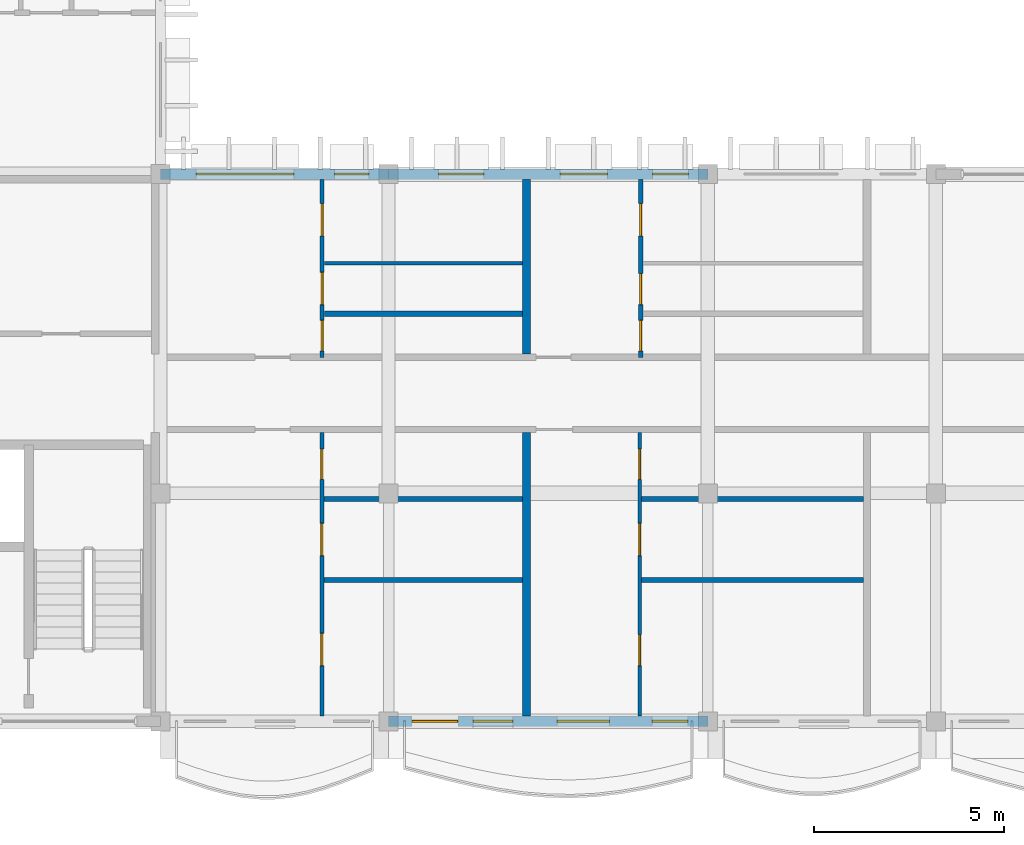
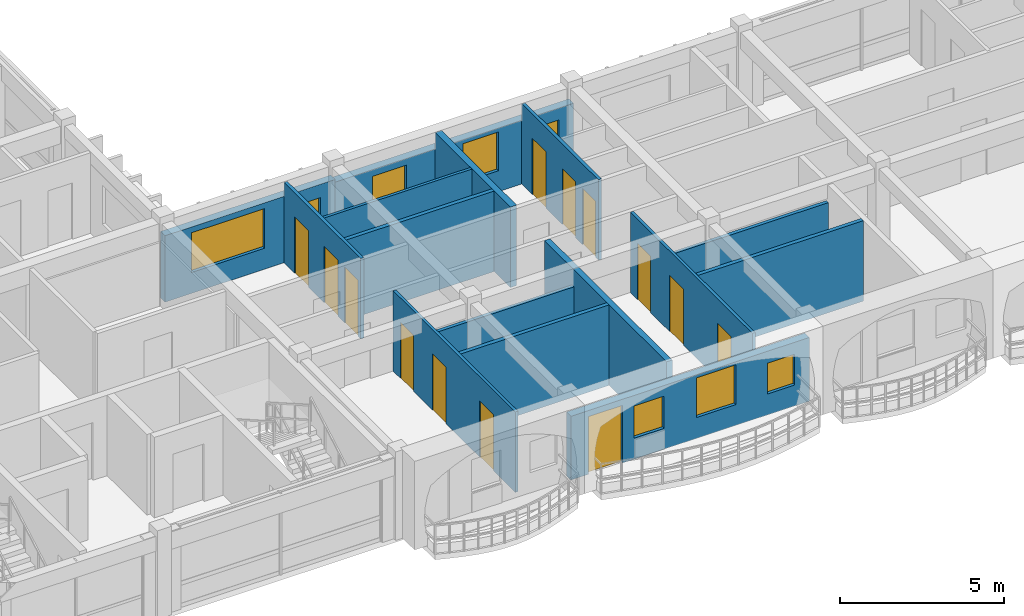
# One storey, part 23 of 68: 15 walls, 13 doors, 8 windows, 21 openings.
"""IFC4 building model written with IfcOpenShell, lengths in metres."""

from ifc_helpers import new_model, si_unit, direction, frame, frame_2d, origin, place, context, subcontext, project, spatial, rectangle, extrude, material, layer, layer_set, type_object, element, fill, save


model = new_model("IFC4")

# Units and contexts
model_context = context("Model", 3, precision=1e-05, world=origin(), true_north=direction((0.0, 1.0)))
body_context = subcontext(model_context, "Body", "Model", "MODEL_VIEW")
ifc_project = project(units=[si_unit("LENGTHUNIT", "METRE"), si_unit("AREAUNIT", "SQUARE_METRE"), si_unit("VOLUMEUNIT", "CUBIC_METRE"), si_unit("PLANEANGLEUNIT", "RADIAN"), si_unit("MASSUNIT", "GRAM", prefix="KILO"), si_unit("THERMODYNAMICTEMPERATUREUNIT", "KELVIN")], contexts=[model_context])

# Site, building, storey
site_placement = place(None, origin())
site = spatial("IfcSite", under=ifc_project, at=site_placement, CompositionType="ELEMENT")
building_placement = place(site_placement, origin())
building = spatial("IfcBuilding", under=site, at=building_placement, Name="Thalorik Housing Commons", CompositionType="ELEMENT")
storey_placement = place(building_placement, frame((0.0, 0.0, 24.60009765625)))
storey = spatial("IfcBuildingStorey", under=building, at=storey_placement, Name="L07", CompositionType="ELEMENT", Elevation=24.60009765625)

# Wall, openings, door, windows
ifc_material_1 = material(Name="White precast concrete C40/50", Category="concrete")
ifc_layer_1 = layer(ifc_material_1, 0.27490234375, Name="White precast concrete C40/50", Category="concrete")
ifc_layer_set_1 = layer_set([ifc_layer_1], Name="White precast concrete C40/50")
wall_type_1 = type_object("IfcWallType", Name="ARC-WAL-EXT-275", PredefinedType="STANDARD", material=ifc_layer_set_1)
wall_1_placement = place(storey_placement, frame((28.800048828125, 8.39990234375, 0.0), z_axis=(0.0, 0.0, 1.0), x_axis=(1.0, 0.0, 0.0)))
wall_1 = element("IfcWall", 1, at=wall_1_placement, inside=storey, type_object=wall_type_1, Name="L07 Exterior Wall WAL-EXT-L07-C-1034", PredefinedType="STANDARD", context=body_context, shape_type="SweptSolid", body=[
    extrude(rectangle(XDim=8.39990234375, YDim=0.27490234375, at=frame_2d((4.199951171875, 0.0))), origin(), (0.0, 0.0, 1.0), 2.375),
])
opening_1_placement = place(wall_1_placement, frame((0.6201171875, 0.0, 0.0)))
opening_1 = element("IfcOpeningElement", 2, at=opening_1_placement, cuts=wall_1, Name="Opening ED-0344", PredefinedType="OPENING", context=body_context, shape_type="SweptSolid", body=[
    extrude(rectangle(XDim=1.199951171875, YDim=2.14990234375, at=frame_2d((0.60009765625, 1.074951171875))), frame((0.0, 0.1474609375, 0.0), z_axis=(0.0, -1.0, 0.0), x_axis=(1.0, 0.0, 0.0)), (0.0, 0.0, 1.0), 0.294921875),
])
opening_2_placement = place(wall_1_placement, frame((2.22509765625, 0.0, 0.780029296875)))
opening_2 = element("IfcOpeningElement", 3, at=opening_2_placement, cuts=wall_1, Name="Opening W-44", PredefinedType="OPENING", context=body_context, shape_type="SweptSolid", body=[
    extrude(rectangle(XDim=1.050048828125, YDim=1.199951171875, at=frame_2d((0.52490234375, 0.60009765625))), frame((0.0, 0.1474609375, 0.0), z_axis=(0.0, -1.0, 0.0), x_axis=(1.0, 0.0, 0.0)), (0.0, 0.0, 1.0), 0.294921875),
])
opening_3_placement = place(wall_1_placement, frame((4.429931640625, 0.0, 0.780029296875)))
opening_3 = element("IfcOpeningElement", 4, at=opening_3_placement, cuts=wall_1, Name="Opening W-49", PredefinedType="OPENING", context=body_context, shape_type="SweptSolid", body=[
    extrude(rectangle(XDim=1.3798828125, YDim=1.47998046875, at=frame_2d((0.68994140625, 0.739990234375))), frame((0.0, 0.1474609375, 0.0), z_axis=(0.0, -1.0, 0.0), x_axis=(1.0, 0.0, 0.0)), (0.0, 0.0, 1.0), 0.294921875),
])
opening_4_placement = place(wall_1_placement, frame((6.93505859375, 0.0, 0.780029296875)))
opening_4 = element("IfcOpeningElement", 5, at=opening_4_placement, cuts=wall_1, Name="Opening W-43", PredefinedType="OPENING", context=body_context, shape_type="SweptSolid", body=[
    extrude(rectangle(XDim=0.949951171875, YDim=1.14990234375, at=frame_2d((0.47509765625, 0.574951171875))), frame((0.0, 0.1474609375, 0.0), z_axis=(0.0, -1.0, 0.0), x_axis=(1.0, 0.0, 0.0)), (0.0, 0.0, 1.0), 0.294921875),
])
ifc_material_2 = material(Name="Anodised aluminium and laminated safety glass", Category="aluminium")
door_type_1 = type_object("IfcDoorType", Name="ARC-DR-BAL-1200", OperationType="NOTDEFINED", PredefinedType="DOOR", material=ifc_material_2)
door_1_placement = place(opening_1_placement, frame((1.199951171875, 0.0, 0.0), z_axis=(0.0, 0.0, 1.0), x_axis=(-1.0, 0.0, 0.0)))
door_1 = element("IfcDoor", 6, at=door_1_placement, inside=storey, type_object=door_type_1, Name="L07 Block C Balcony Glazed Door", OperationType="SINGLE_SWING_LEFT", OverallHeight=2.14990234375, OverallWidth=1.199951171875, PredefinedType="DOOR", context=body_context, shape_type="SweptSolid", body=[
    extrude(rectangle(XDim=1.199951171875, YDim=2.14990234375, at=frame_2d((0.60009765625, 1.074951171875))), frame((0.0, 0.02490234375, 0.0), z_axis=(0.0, -1.0, 0.0), x_axis=(1.0, 0.0, 0.0)), (0.0, 0.0, 1.0), 0.050048828125),
])
fill(opening_1, door_1)
ifc_material_3 = material(Name="Anodised aluminium and solar-control low-E glass", Category="aluminium")
window_type_1 = type_object("IfcWindowType", Name="ARC-WIN-43", PartitioningType="SINGLE_PANEL", PredefinedType="WINDOW", material=ifc_material_3)
window_1_placement = place(opening_4_placement, origin())
window_1 = element("IfcWindow", 7, at=window_1_placement, inside=storey, type_object=window_type_1, Name="L07 Facade Window 1911", OverallHeight=1.14990234375, OverallWidth=0.949951171875, PartitioningType="SINGLE_PANEL", PredefinedType="WINDOW", context=body_context, shape_type="SweptSolid", body=[
    extrude(rectangle(XDim=0.949951171875, YDim=1.14990234375, at=frame_2d((0.47509765625, 0.574951171875))), frame((0.0, 0.030029296875, 0.0), z_axis=(0.0, -1.0, 0.0), x_axis=(1.0, 0.0, 0.0)), (0.0, 0.0, 1.0), 0.06005859375),
])
fill(opening_4, window_1)
window_type_2 = type_object("IfcWindowType", Name="ARC-WIN-44", PartitioningType="SINGLE_PANEL", PredefinedType="WINDOW", material=ifc_material_3)
window_2_placement = place(opening_2_placement, origin())
window_2 = element("IfcWindow", 8, at=window_2_placement, inside=storey, type_object=window_type_2, Name="L07 Facade Window 1909", OverallHeight=1.199951171875, OverallWidth=1.050048828125, PartitioningType="SINGLE_PANEL", PredefinedType="WINDOW", context=body_context, shape_type="SweptSolid", body=[
    extrude(rectangle(XDim=1.050048828125, YDim=1.199951171875, at=frame_2d((0.52490234375, 0.60009765625))), frame((0.0, 0.030029296875, 0.0), z_axis=(0.0, -1.0, 0.0), x_axis=(1.0, 0.0, 0.0)), (0.0, 0.0, 1.0), 0.06005859375),
])
fill(opening_2, window_2)
window_type_3 = type_object("IfcWindowType", Name="ARC-WIN-49", PartitioningType="SINGLE_PANEL", PredefinedType="WINDOW", material=ifc_material_3)
window_3_placement = place(opening_3_placement, origin())
window_3 = element("IfcWindow", 9, at=window_3_placement, inside=storey, type_object=window_type_3, Name="L07 Facade Window 1910", OverallHeight=1.47998046875, OverallWidth=1.3798828125, PartitioningType="SINGLE_PANEL", PredefinedType="WINDOW", context=body_context, shape_type="SweptSolid", body=[
    extrude(rectangle(XDim=1.3798828125, YDim=1.47998046875, at=frame_2d((0.68994140625, 0.739990234375))), frame((0.0, 0.030029296875, 0.0), z_axis=(0.0, -1.0, 0.0), x_axis=(1.0, 0.0, 0.0)), (0.0, 0.0, 1.0), 0.06005859375),
])
fill(opening_3, window_3)

# Wall, openings, windows
wall_2_placement = place(storey_placement, frame((37.199951171875, 22.800048828125, 0.0), z_axis=(0.0, 0.0, 1.0), x_axis=(-1.0, 0.0, 0.0)))
wall_2 = element("IfcWall", 10, at=wall_2_placement, inside=storey, type_object=wall_type_1, Name="L07 Exterior Wall WAL-EXT-L07-C-1043", PredefinedType="STANDARD", context=body_context, shape_type="SweptSolid", body=[
    extrude(rectangle(XDim=8.39990234375, YDim=0.27490234375, at=frame_2d((4.199951171875, 0.0))), origin(), (0.0, 0.0, 1.0), 2.375),
])
opening_5_placement = place(wall_2_placement, frame((0.504638671875, 0.0, 0.780029296875)))
opening_5 = element("IfcOpeningElement", 11, at=opening_5_placement, cuts=wall_2, Name="Opening W-43", PredefinedType="OPENING", context=body_context, shape_type="SweptSolid", body=[
    extrude(rectangle(XDim=0.949951171875, YDim=1.14990234375, at=frame_2d((0.47509765625, 0.574951171875))), frame((0.0, 0.1474609375, 0.0), z_axis=(0.0, -1.0, 0.0), x_axis=(1.0, 0.0, 0.0)), (0.0, 0.0, 1.0), 0.294921875),
])
opening_6_placement = place(wall_2_placement, frame((2.64453125, 0.0, 0.780029296875)))
opening_6 = element("IfcOpeningElement", 12, at=opening_6_placement, cuts=wall_2, Name="Opening W-47", PredefinedType="OPENING", context=body_context, shape_type="SweptSolid", body=[
    extrude(rectangle(XDim=1.25, YDim=1.449951171875, at=frame_2d((0.625, 0.72509765625))), frame((0.0, 0.1474609375, 0.0), z_axis=(0.0, -1.0, 0.0), x_axis=(1.0, 0.0, 0.0)), (0.0, 0.0, 1.0), 0.294921875),
])
opening_7_placement = place(wall_2_placement, frame((5.889892578125, 0.0, 0.780029296875)))
opening_7 = element("IfcOpeningElement", 13, at=opening_7_placement, cuts=wall_2, Name="Opening W-04", PredefinedType="OPENING", context=body_context, shape_type="SweptSolid", body=[
    extrude(rectangle(XDim=1.199951171875, YDim=1.35009765625, at=frame_2d((0.60009765625, 0.675048828125))), frame((0.0, 0.1474609375, 0.0), z_axis=(0.0, -1.0, 0.0), x_axis=(1.0, 0.0, 0.0)), (0.0, 0.0, 1.0), 0.294921875),
])
window_type_4 = type_object("IfcWindowType", Name="ARC-WIN-04", PartitioningType="SINGLE_PANEL", PredefinedType="WINDOW", material=ifc_material_3)
window_4_placement = place(opening_7_placement, origin())
window_4 = element("IfcWindow", 14, at=window_4_placement, inside=storey, type_object=window_type_4, Name="L07 Facade Window 1925", OverallHeight=1.35009765625, OverallWidth=1.199951171875, PartitioningType="SINGLE_PANEL", PredefinedType="WINDOW", context=body_context, shape_type="SweptSolid", body=[
    extrude(rectangle(XDim=1.199951171875, YDim=1.35009765625, at=frame_2d((0.60009765625, 0.675048828125))), frame((0.0, 0.030029296875, 0.0), z_axis=(0.0, -1.0, 0.0), x_axis=(1.0, 0.0, 0.0)), (0.0, 0.0, 1.0), 0.06005859375),
])
fill(opening_7, window_4)
window_5_placement = place(opening_5_placement, origin())
window_5 = element("IfcWindow", 15, at=window_5_placement, inside=storey, type_object=window_type_1, Name="L07 Facade Window 1923", OverallHeight=1.14990234375, OverallWidth=0.949951171875, PartitioningType="SINGLE_PANEL", PredefinedType="WINDOW", context=body_context, shape_type="SweptSolid", body=[
    extrude(rectangle(XDim=0.949951171875, YDim=1.14990234375, at=frame_2d((0.47509765625, 0.574951171875))), frame((0.0, 0.030029296875, 0.0), z_axis=(0.0, -1.0, 0.0), x_axis=(1.0, 0.0, 0.0)), (0.0, 0.0, 1.0), 0.06005859375),
])
fill(opening_5, window_5)
window_type_5 = type_object("IfcWindowType", Name="ARC-WIN-47", PartitioningType="SINGLE_PANEL", PredefinedType="WINDOW", material=ifc_material_3)
window_6_placement = place(opening_6_placement, origin())
window_6 = element("IfcWindow", 16, at=window_6_placement, inside=storey, type_object=window_type_5, Name="L07 Facade Window 1924", OverallHeight=1.449951171875, OverallWidth=1.25, PartitioningType="SINGLE_PANEL", PredefinedType="WINDOW", context=body_context, shape_type="SweptSolid", body=[
    extrude(rectangle(XDim=1.25, YDim=1.449951171875, at=frame_2d((0.625, 0.72509765625))), frame((0.0, 0.030029296875, 0.0), z_axis=(0.0, -1.0, 0.0), x_axis=(1.0, 0.0, 0.0)), (0.0, 0.0, 1.0), 0.06005859375),
])
fill(opening_6, window_6)

wall_3_placement = place(storey_placement, frame((28.800048828125, 22.800048828125, 0.0), z_axis=(0.0, 0.0, 1.0), x_axis=(-1.0, 0.0, 0.0)))
wall_3 = element("IfcWall", 17, at=wall_3_placement, inside=storey, type_object=wall_type_1, Name="L07 Exterior Wall WAL-EXT-L07-C-1044", PredefinedType="STANDARD", context=body_context, shape_type="SweptSolid", body=[
    extrude(rectangle(XDim=6.0, YDim=0.27490234375, at=frame_2d((3.0, 0.0))), origin(), (0.0, 0.0, 1.0), 2.474853515625),
])
opening_8_placement = place(wall_3_placement, frame((0.520263671875, 0.0, 0.780029296875)))
opening_8 = element("IfcOpeningElement", 18, at=opening_8_placement, cuts=wall_3, Name="Opening W-01", PredefinedType="OPENING", context=body_context, shape_type="SweptSolid", body=[
    extrude(rectangle(XDim=0.89990234375, YDim=1.199951171875, at=frame_2d((0.449951171875, 0.60009765625))), frame((0.0, 0.1474609375, 0.0), z_axis=(0.0, -1.0, 0.0), x_axis=(1.0, 0.0, 0.0)), (0.0, 0.0, 1.0), 0.294921875),
])
opening_9_placement = place(wall_3_placement, frame((2.490234375, 0.0, 0.780029296875)))
opening_9 = element("IfcOpeningElement", 19, at=opening_9_placement, cuts=wall_3, Name="Opening W-73", PredefinedType="OPENING", context=body_context, shape_type="SweptSolid", body=[
    extrude(rectangle(XDim=2.580078125, YDim=1.47998046875, at=frame_2d((1.2900390625, 0.739990234375))), frame((0.0, 0.1474609375, 0.0), z_axis=(0.0, -1.0, 0.0), x_axis=(1.0, 0.0, 0.0)), (0.0, 0.0, 1.0), 0.294921875),
])
window_type_6 = type_object("IfcWindowType", Name="ARC-WIN-01", PartitioningType="SINGLE_PANEL", PredefinedType="WINDOW", material=ifc_material_3)
window_7_placement = place(opening_8_placement, origin())
window_7 = element("IfcWindow", 20, at=window_7_placement, inside=storey, type_object=window_type_6, Name="L07 Facade Window 1926", OverallHeight=1.199951171875, OverallWidth=0.89990234375, PartitioningType="SINGLE_PANEL", PredefinedType="WINDOW", context=body_context, shape_type="SweptSolid", body=[
    extrude(rectangle(XDim=0.89990234375, YDim=1.199951171875, at=frame_2d((0.449951171875, 0.60009765625))), frame((0.0, 0.030029296875, 0.0), z_axis=(0.0, -1.0, 0.0), x_axis=(1.0, 0.0, 0.0)), (0.0, 0.0, 1.0), 0.06005859375),
])
fill(opening_8, window_7)
window_type_7 = type_object("IfcWindowType", Name="ARC-WIN-73", PartitioningType="DOUBLE_PANEL_VERTICAL", PredefinedType="WINDOW", material=ifc_material_3)
window_8_placement = place(opening_9_placement, origin())
window_8 = element("IfcWindow", 21, at=window_8_placement, inside=storey, type_object=window_type_7, Name="L07 Facade Window 1927", OverallHeight=1.47998046875, OverallWidth=2.580078125, PartitioningType="DOUBLE_PANEL_VERTICAL", PredefinedType="WINDOW", context=body_context, shape_type="SweptSolid", body=[
    extrude(rectangle(XDim=2.580078125, YDim=1.47998046875, at=frame_2d((1.2900390625, 0.739990234375))), frame((0.0, 0.030029296875, 0.0), z_axis=(0.0, -1.0, 0.0), x_axis=(1.0, 0.0, 0.0)), (0.0, 0.0, 1.0), 0.06005859375),
])
fill(opening_9, window_8)

# Wall, openings, doors
ifc_material_4 = material(Name="Gypsum light stud partition", Category="masonry")
ifc_layer_2 = layer(ifc_material_4, 0.10009765625, Name="Gypsum light stud partition", Category="masonry")
ifc_layer_set_2 = layer_set([ifc_layer_2], Name="Gypsum light stud partition")
wall_type_2 = type_object("IfcWallType", Name="ARC-WAL-PART-100", PredefinedType="PARTITIONING", material=ifc_layer_set_2)
wall_4_placement = place(storey_placement, frame((27.044921875, 8.53955078125, 0.0), z_axis=(0.0, 0.0, 1.0), x_axis=(0.0, 1.0, 0.0)))
wall_4 = element("IfcWall", 22, at=wall_4_placement, inside=storey, type_object=wall_type_2, Name="L07 Unit 1 Spine Partition", PredefinedType="PARTITIONING", context=body_context, shape_type="SweptSolid", body=[
    extrude(rectangle(XDim=7.46337890625, YDim=0.10009765625, at=frame_2d((3.731689453125, 0.0))), origin(), (0.0, 0.0, 1.0), 3.0),
])
opening_10_placement = place(wall_4_placement, frame((1.32421875, 0.0, 0.0)))
opening_10 = element("IfcOpeningElement", 23, at=opening_10_placement, cuts=wall_4, Name="Opening ID-1866", PredefinedType="OPENING", context=body_context, shape_type="SweptSolid", body=[
    extrude(rectangle(XDim=0.85009765625, YDim=2.10009765625, at=frame_2d((0.425048828125, 1.050048828125))), frame((0.0, 0.06005859375, 0.0), z_axis=(0.0, -1.0, 0.0), x_axis=(1.0, 0.0, 0.0)), (0.0, 0.0, 1.0), 0.1201171875),
])
opening_11_placement = place(wall_4_placement, frame((4.219970703125, 0.0, 0.0)))
opening_11 = element("IfcOpeningElement", 24, at=opening_11_placement, cuts=wall_4, Name="Opening ID-1867", PredefinedType="OPENING", context=body_context, shape_type="SweptSolid", body=[
    extrude(rectangle(XDim=0.85009765625, YDim=2.10009765625, at=frame_2d((0.425048828125, 1.050048828125))), frame((0.0, 0.06005859375, 0.0), z_axis=(0.0, -1.0, 0.0), x_axis=(1.0, 0.0, 0.0)), (0.0, 0.0, 1.0), 0.1201171875),
])
opening_12_placement = place(wall_4_placement, frame((6.22607421875, 0.0, 0.0)))
opening_12 = element("IfcOpeningElement", 25, at=opening_12_placement, cuts=wall_4, Name="Opening ID-1868", PredefinedType="OPENING", context=body_context, shape_type="SweptSolid", body=[
    extrude(rectangle(XDim=0.800048828125, YDim=2.10009765625, at=frame_2d((0.39990234375, 1.050048828125))), frame((0.0, 0.06005859375, 0.0), z_axis=(0.0, -1.0, 0.0), x_axis=(1.0, 0.0, 0.0)), (0.0, 0.0, 1.0), 0.1201171875),
])
ifc_material_5 = material(Name="Moisture-resistant timber", Category="wood")
door_type_2 = type_object("IfcDoorType", Name="ARC-DR-INT-800", OperationType="NOTDEFINED", PredefinedType="DOOR", material=ifc_material_5)
door_2_placement = place(opening_12_placement, origin())
door_2 = element("IfcDoor", 26, at=door_2_placement, inside=storey, type_object=door_type_2, Name="L07 Flat Bathroom Door", OperationType="SINGLE_SWING_LEFT", OverallHeight=2.10009765625, OverallWidth=0.800048828125, PredefinedType="DOOR", context=body_context, shape_type="SweptSolid", body=[
    extrude(rectangle(XDim=0.800048828125, YDim=2.10009765625, at=frame_2d((0.39990234375, 1.050048828125))), frame((0.0, 0.02490234375, 0.0), z_axis=(0.0, -1.0, 0.0), x_axis=(1.0, 0.0, 0.0)), (0.0, 0.0, 1.0), 0.050048828125),
])
fill(opening_12, door_2)
ifc_material_6 = material(Name="Engineered oak timber", Category="wood")
door_type_3 = type_object("IfcDoorType", Name="ARC-DR-INT-850", OperationType="NOTDEFINED", PredefinedType="DOOR", material=ifc_material_6)
door_3_placement = place(opening_10_placement, origin())
door_3 = element("IfcDoor", 27, at=door_3_placement, inside=storey, type_object=door_type_3, Name="L07 Double Bedroom Door", OperationType="SINGLE_SWING_LEFT", OverallHeight=2.10009765625, OverallWidth=0.85009765625, PredefinedType="DOOR", context=body_context, shape_type="SweptSolid", body=[
    extrude(rectangle(XDim=0.85009765625, YDim=2.10009765625, at=frame_2d((0.425048828125, 1.050048828125))), frame((0.0, 0.02490234375, 0.0), z_axis=(0.0, -1.0, 0.0), x_axis=(1.0, 0.0, 0.0)), (0.0, 0.0, 1.0), 0.050048828125),
])
fill(opening_10, door_3)
door_4_placement = place(opening_11_placement, origin())
door_4 = element("IfcDoor", 28, at=door_4_placement, inside=storey, type_object=door_type_3, Name="L07 Galley Kitchen Door", OperationType="SINGLE_SWING_RIGHT", OverallHeight=2.10009765625, OverallWidth=0.85009765625, PredefinedType="DOOR", context=body_context, shape_type="SweptSolid", body=[
    extrude(rectangle(XDim=0.85009765625, YDim=2.10009765625, at=frame_2d((0.425048828125, 1.050048828125))), frame((0.0, 0.02490234375, 0.0), z_axis=(0.0, -1.0, 0.0), x_axis=(1.0, 0.0, 0.0)), (0.0, 0.0, 1.0), 0.050048828125),
])
fill(opening_11, door_4)

# Wall
wall_5_placement = place(storey_placement, frame((27.109130859375, 20.455078125, 0.0), z_axis=(0.0, 0.0, 1.0), x_axis=(1.0, 0.0, 0.0)))
element("IfcWall", 29, at=wall_5_placement, inside=storey, type_object=wall_type_2, Name="L07 Unit 1B Bedroom Partition", PredefinedType="PARTITIONING", context=body_context, shape_type="SweptSolid", body=[
    extrude(rectangle(XDim=5.208984375, YDim=0.10009765625, at=frame_2d((2.6044921875, 0.0))), origin(), (0.0, 0.0, 1.0), 3.0),
])

# Wall, openings, doors
wall_6_placement = place(storey_placement, frame((35.409912109375, 8.53955078125, 0.0), z_axis=(0.0, 0.0, 1.0), x_axis=(0.0, 1.0, 0.0)))
wall_6 = element("IfcWall", 30, at=wall_6_placement, inside=storey, type_object=wall_type_2, Name="L07 Unit 2 Spine Partition", PredefinedType="PARTITIONING", context=body_context, shape_type="SweptSolid", body=[
    extrude(rectangle(XDim=7.46337890625, YDim=0.10009765625, at=frame_2d((3.731689453125, 0.0))), origin(), (0.0, 0.0, 1.0), 3.0),
])
opening_13_placement = place(wall_6_placement, frame((1.32421875, 0.0, 0.0)))
opening_13 = element("IfcOpeningElement", 31, at=opening_13_placement, cuts=wall_6, Name="Opening ID-1872", PredefinedType="OPENING", context=body_context, shape_type="SweptSolid", body=[
    extrude(rectangle(XDim=0.820068359375, YDim=2.080078125, at=frame_2d((0.41015625, 1.0400390625))), frame((0.0, 0.06005859375, 0.0), z_axis=(0.0, -1.0, 0.0), x_axis=(1.0, 0.0, 0.0)), (0.0, 0.0, 1.0), 0.1201171875),
])
opening_14_placement = place(wall_6_placement, frame((4.219970703125, 0.0, 0.0)))
opening_14 = element("IfcOpeningElement", 32, at=opening_14_placement, cuts=wall_6, Name="Opening ID-1873", PredefinedType="OPENING", context=body_context, shape_type="SweptSolid", body=[
    extrude(rectangle(XDim=0.85009765625, YDim=2.10009765625, at=frame_2d((0.425048828125, 1.050048828125))), frame((0.0, 0.06005859375, 0.0), z_axis=(0.0, -1.0, 0.0), x_axis=(1.0, 0.0, 0.0)), (0.0, 0.0, 1.0), 0.1201171875),
])
opening_15_placement = place(wall_6_placement, frame((6.22607421875, 0.0, 0.0)))
opening_15 = element("IfcOpeningElement", 33, at=opening_15_placement, cuts=wall_6, Name="Opening ID-1874", PredefinedType="OPENING", context=body_context, shape_type="SweptSolid", body=[
    extrude(rectangle(XDim=0.800048828125, YDim=2.10009765625, at=frame_2d((0.39990234375, 1.050048828125))), frame((0.0, 0.06005859375, 0.0), z_axis=(0.0, -1.0, 0.0), x_axis=(1.0, 0.0, 0.0)), (0.0, 0.0, 1.0), 0.1201171875),
])
door_5_placement = place(opening_15_placement, origin())
door_5 = element("IfcDoor", 34, at=door_5_placement, inside=storey, type_object=door_type_2, Name="L07 Accessible Bathroom Door", OperationType="SINGLE_SWING_LEFT", OverallHeight=2.10009765625, OverallWidth=0.800048828125, PredefinedType="DOOR", context=body_context, shape_type="SweptSolid", body=[
    extrude(rectangle(XDim=0.800048828125, YDim=2.10009765625, at=frame_2d((0.39990234375, 1.050048828125))), frame((0.0, 0.02490234375, 0.0), z_axis=(0.0, -1.0, 0.0), x_axis=(1.0, 0.0, 0.0)), (0.0, 0.0, 1.0), 0.050048828125),
])
fill(opening_15, door_5)
door_type_4 = type_object("IfcDoorType", Name="ARC-DR-INT-820", OperationType="NOTDEFINED", PredefinedType="DOOR", material=ifc_material_6)
door_6_placement = place(opening_13_placement, origin())
door_6 = element("IfcDoor", 35, at=door_6_placement, inside=storey, type_object=door_type_4, Name="L07 Single Bedroom Door", OperationType="SINGLE_SWING_LEFT", OverallHeight=2.080078125, OverallWidth=0.820068359375, PredefinedType="DOOR", context=body_context, shape_type="SweptSolid", body=[
    extrude(rectangle(XDim=0.820068359375, YDim=2.080078125, at=frame_2d((0.41015625, 1.0400390625))), frame((0.0, 0.02490234375, 0.0), z_axis=(0.0, -1.0, 0.0), x_axis=(1.0, 0.0, 0.0)), (0.0, 0.0, 1.0), 0.050048828125),
])
fill(opening_13, door_6)
door_7_placement = place(opening_14_placement, origin())
door_7 = element("IfcDoor", 36, at=door_7_placement, inside=storey, type_object=door_type_3, Name="L07 Eat-In Kitchen Door", OperationType="SINGLE_SWING_RIGHT", OverallHeight=2.10009765625, OverallWidth=0.85009765625, PredefinedType="DOOR", context=body_context, shape_type="SweptSolid", body=[
    extrude(rectangle(XDim=0.85009765625, YDim=2.10009765625, at=frame_2d((0.425048828125, 1.050048828125))), frame((0.0, 0.02490234375, 0.0), z_axis=(0.0, -1.0, 0.0), x_axis=(1.0, 0.0, 0.0)), (0.0, 0.0, 1.0), 0.050048828125),
])
fill(opening_14, door_7)

ifc_material_7 = material(Name="Gypsum moisture-resistant partition", Category="masonry")
ifc_layer_3 = layer(ifc_material_7, 0.114990234375, Name="Gypsum moisture-resistant partition", Category="masonry")
ifc_layer_set_3 = layer_set([ifc_layer_3], Name="Gypsum moisture-resistant partition")
wall_type_3 = type_object("IfcWallType", Name="ARC-WAL-PART-115", PredefinedType="PARTITIONING", material=ifc_layer_set_3)
wall_7_placement = place(storey_placement, frame((27.049560546875, 17.97998046875, 0.0), z_axis=(0.0, 0.0, 1.0), x_axis=(0.0, 1.0, 0.0)))
wall_7 = element("IfcWall", 37, at=wall_7_placement, inside=storey, type_object=wall_type_3, Name="L07 Unit 1B Spine Partition", PredefinedType="PARTITIONING", context=body_context, shape_type="SweptSolid", body=[
    extrude(rectangle(XDim=4.680419921875, YDim=0.114990234375, at=frame_2d((2.34033203125, 0.0))), origin(), (0.0, 0.0, 1.0), 3.0),
])
opening_16_placement = place(wall_7_placement, frame((0.171142578125, 0.0, 0.0)))
opening_16 = element("IfcOpeningElement", 38, at=opening_16_placement, cuts=wall_7, Name="Opening ID-1869", PredefinedType="OPENING", context=body_context, shape_type="SweptSolid", body=[
    extrude(rectangle(XDim=0.800048828125, YDim=2.10009765625, at=frame_2d((0.39990234375, 1.050048828125))), frame((0.0, 0.0673828125, 0.0), z_axis=(0.0, -1.0, 0.0), x_axis=(1.0, 0.0, 0.0)), (0.0, 0.0, 1.0), 0.135009765625),
])
opening_17_placement = place(wall_7_placement, frame((1.3837890625, 0.0, 0.0)))
opening_17 = element("IfcOpeningElement", 39, at=opening_17_placement, cuts=wall_7, Name="Opening ID-1870", PredefinedType="OPENING", context=body_context, shape_type="SweptSolid", body=[
    extrude(rectangle(XDim=0.85009765625, YDim=2.10009765625, at=frame_2d((0.425048828125, 1.050048828125))), frame((0.0, 0.0673828125, 0.0), z_axis=(0.0, -1.0, 0.0), x_axis=(1.0, 0.0, 0.0)), (0.0, 0.0, 1.0), 0.135009765625),
])
opening_18_placement = place(wall_7_placement, frame((3.192626953125, 0.0, 0.0)))
opening_18 = element("IfcOpeningElement", 40, at=opening_18_placement, cuts=wall_7, Name="Opening ID-1871", PredefinedType="OPENING", context=body_context, shape_type="SweptSolid", body=[
    extrude(rectangle(XDim=0.85009765625, YDim=2.10009765625, at=frame_2d((0.425048828125, 1.050048828125))), frame((0.0, 0.0673828125, 0.0), z_axis=(0.0, -1.0, 0.0), x_axis=(1.0, 0.0, 0.0)), (0.0, 0.0, 1.0), 0.135009765625),
])
door_8_placement = place(opening_16_placement, origin())
door_8 = element("IfcDoor", 41, at=door_8_placement, inside=storey, type_object=door_type_2, Name="L07 Flat Bathroom Door", OperationType="SINGLE_SWING_RIGHT", OverallHeight=2.10009765625, OverallWidth=0.800048828125, PredefinedType="DOOR", context=body_context, shape_type="SweptSolid", body=[
    extrude(rectangle(XDim=0.800048828125, YDim=2.10009765625, at=frame_2d((0.39990234375, 1.050048828125))), frame((0.0, 0.02490234375, 0.0), z_axis=(0.0, -1.0, 0.0), x_axis=(1.0, 0.0, 0.0)), (0.0, 0.0, 1.0), 0.050048828125),
])
fill(opening_16, door_8)
door_9_placement = place(opening_17_placement, origin())
door_9 = element("IfcDoor", 42, at=door_9_placement, inside=storey, type_object=door_type_3, Name="L07 Galley Kitchen Door", OperationType="SINGLE_SWING_LEFT", OverallHeight=2.10009765625, OverallWidth=0.85009765625, PredefinedType="DOOR", context=body_context, shape_type="SweptSolid", body=[
    extrude(rectangle(XDim=0.85009765625, YDim=2.10009765625, at=frame_2d((0.425048828125, 1.050048828125))), frame((0.0, 0.02490234375, 0.0), z_axis=(0.0, -1.0, 0.0), x_axis=(1.0, 0.0, 0.0)), (0.0, 0.0, 1.0), 0.050048828125),
])
fill(opening_17, door_9)
door_10_placement = place(opening_18_placement, origin())
door_10 = element("IfcDoor", 43, at=door_10_placement, inside=storey, type_object=door_type_3, Name="L07 Single Bedroom Door", OperationType="SINGLE_SWING_RIGHT", OverallHeight=2.10009765625, OverallWidth=0.85009765625, PredefinedType="DOOR", context=body_context, shape_type="SweptSolid", body=[
    extrude(rectangle(XDim=0.85009765625, YDim=2.10009765625, at=frame_2d((0.425048828125, 1.050048828125))), frame((0.0, 0.02490234375, 0.0), z_axis=(0.0, -1.0, 0.0), x_axis=(1.0, 0.0, 0.0)), (0.0, 0.0, 1.0), 0.050048828125),
])
fill(opening_18, door_10)

wall_8_placement = place(storey_placement, frame((35.430908203125, 17.97998046875, 0.0), z_axis=(0.0, 0.0, 1.0), x_axis=(0.0, 1.0, 0.0)))
wall_8 = element("IfcWall", 44, at=wall_8_placement, inside=storey, type_object=wall_type_3, Name="L07 Unit 2B Spine Partition", PredefinedType="PARTITIONING", context=body_context, shape_type="SweptSolid", body=[
    extrude(rectangle(XDim=4.680419921875, YDim=0.114990234375, at=frame_2d((2.34033203125, 0.0))), origin(), (0.0, 0.0, 1.0), 3.0),
])
opening_19_placement = place(wall_8_placement, frame((0.171142578125, 0.0, 0.0)))
opening_19 = element("IfcOpeningElement", 45, at=opening_19_placement, cuts=wall_8, Name="Opening ID-1875", PredefinedType="OPENING", context=body_context, shape_type="SweptSolid", body=[
    extrude(rectangle(XDim=0.800048828125, YDim=2.10009765625, at=frame_2d((0.39990234375, 1.050048828125))), frame((0.0, 0.0673828125, 0.0), z_axis=(0.0, -1.0, 0.0), x_axis=(1.0, 0.0, 0.0)), (0.0, 0.0, 1.0), 0.135009765625),
])
opening_20_placement = place(wall_8_placement, frame((1.3837890625, 0.0, 0.0)))
opening_20 = element("IfcOpeningElement", 46, at=opening_20_placement, cuts=wall_8, Name="Opening ID-1876", PredefinedType="OPENING", context=body_context, shape_type="SweptSolid", body=[
    extrude(rectangle(XDim=0.820068359375, YDim=2.080078125, at=frame_2d((0.41015625, 1.0400390625))), frame((0.0, 0.0673828125, 0.0), z_axis=(0.0, -1.0, 0.0), x_axis=(1.0, 0.0, 0.0)), (0.0, 0.0, 1.0), 0.135009765625),
])
opening_21_placement = place(wall_8_placement, frame((3.192626953125, 0.0, 0.0)))
opening_21 = element("IfcOpeningElement", 47, at=opening_21_placement, cuts=wall_8, Name="Opening ID-1877", PredefinedType="OPENING", context=body_context, shape_type="SweptSolid", body=[
    extrude(rectangle(XDim=0.85009765625, YDim=2.10009765625, at=frame_2d((0.425048828125, 1.050048828125))), frame((0.0, 0.0673828125, 0.0), z_axis=(0.0, -1.0, 0.0), x_axis=(1.0, 0.0, 0.0)), (0.0, 0.0, 1.0), 0.135009765625),
])
door_11_placement = place(opening_19_placement, origin())
door_11 = element("IfcDoor", 48, at=door_11_placement, inside=storey, type_object=door_type_2, Name="L07 Flat Bathroom Door", OperationType="SINGLE_SWING_RIGHT", OverallHeight=2.10009765625, OverallWidth=0.800048828125, PredefinedType="DOOR", context=body_context, shape_type="SweptSolid", body=[
    extrude(rectangle(XDim=0.800048828125, YDim=2.10009765625, at=frame_2d((0.39990234375, 1.050048828125))), frame((0.0, 0.02490234375, 0.0), z_axis=(0.0, -1.0, 0.0), x_axis=(1.0, 0.0, 0.0)), (0.0, 0.0, 1.0), 0.050048828125),
])
fill(opening_19, door_11)
door_12_placement = place(opening_20_placement, origin())
door_12 = element("IfcDoor", 49, at=door_12_placement, inside=storey, type_object=door_type_4, Name="L07 Eat-In Kitchen Door", OperationType="SINGLE_SWING_LEFT", OverallHeight=2.080078125, OverallWidth=0.820068359375, PredefinedType="DOOR", context=body_context, shape_type="SweptSolid", body=[
    extrude(rectangle(XDim=0.820068359375, YDim=2.080078125, at=frame_2d((0.41015625, 1.0400390625))), frame((0.0, 0.02490234375, 0.0), z_axis=(0.0, -1.0, 0.0), x_axis=(1.0, 0.0, 0.0)), (0.0, 0.0, 1.0), 0.050048828125),
])
fill(opening_20, door_12)
door_13_placement = place(opening_21_placement, origin())
door_13 = element("IfcDoor", 50, at=door_13_placement, inside=storey, type_object=door_type_3, Name="L07 Master Bedroom Door", OperationType="SINGLE_SWING_RIGHT", OverallHeight=2.10009765625, OverallWidth=0.85009765625, PredefinedType="DOOR", context=body_context, shape_type="SweptSolid", body=[
    extrude(rectangle(XDim=0.85009765625, YDim=2.10009765625, at=frame_2d((0.425048828125, 1.050048828125))), frame((0.0, 0.02490234375, 0.0), z_axis=(0.0, -1.0, 0.0), x_axis=(1.0, 0.0, 0.0)), (0.0, 0.0, 1.0), 0.050048828125),
])
fill(opening_21, door_13)

# Walls
ifc_material_8 = material(Name="Gypsum acoustic stud partition", Category="masonry")
ifc_layer_4 = layer(ifc_material_8, 0.125, Name="Gypsum acoustic stud partition", Category="masonry")
ifc_layer_set_4 = layer_set([ifc_layer_4], Name="Gypsum acoustic stud partition")
wall_type_4 = type_object("IfcWallType", Name="ARC-WAL-PART-125", PredefinedType="PARTITIONING", material=ifc_layer_set_4)
wall_9_placement = place(storey_placement, frame((27.096923828125, 14.251220703125, 0.0), z_axis=(0.0, 0.0, 1.0), x_axis=(1.0, 0.0, 0.0)))
element("IfcWall", 51, at=wall_9_placement, inside=storey, type_object=wall_type_4, Name="L07 Unit 1 Wet Wall", PredefinedType="PARTITIONING", context=body_context, shape_type="SweptSolid", body=[
    extrude(rectangle(XDim=5.23095703125, YDim=0.125, at=frame_2d((2.615478515625, 0.0))), origin(), (0.0, 0.0, 1.0), 2.375),
])
wall_10_placement = place(storey_placement, frame((35.4619140625, 14.251220703125, 0.0), z_axis=(0.0, 0.0, 1.0), x_axis=(1.0, 0.0, 0.0)))
element("IfcWall", 52, at=wall_10_placement, inside=storey, type_object=wall_type_4, Name="L07 Unit 2 Wet Wall", PredefinedType="PARTITIONING", context=body_context, shape_type="SweptSolid", body=[
    extrude(rectangle(XDim=5.83349609375, YDim=0.125, at=frame_2d((2.916748046875, 0.0))), origin(), (0.0, 0.0, 1.0), 2.375),
])
ifc_material_9 = material(Name="Ceramic masonry partition wall", Category="masonry")
ifc_layer_5 = layer(ifc_material_9, 0.139892578125, Name="Ceramic masonry partition wall", Category="masonry")
ifc_layer_set_5 = layer_set([ifc_layer_5], Name="Ceramic masonry partition wall")
wall_type_5 = type_object("IfcWallType", Name="ARC-WAL-PART-140", PredefinedType="PARTITIONING", material=ifc_layer_set_5)
wall_11_placement = place(storey_placement, frame((27.096923828125, 12.11767578125, 0.0), z_axis=(0.0, 0.0, 1.0), x_axis=(1.0, 0.0, 0.0)))
element("IfcWall", 53, at=wall_11_placement, inside=storey, type_object=wall_type_5, Name="L07 Unit 1 Bedroom Partition", PredefinedType="PARTITIONING", context=body_context, shape_type="SweptSolid", body=[
    extrude(rectangle(XDim=5.23095703125, YDim=0.139892578125, at=frame_2d((2.615478515625, 0.0))), origin(), (0.0, 0.0, 1.0), 3.0),
])
wall_12_placement = place(storey_placement, frame((27.109130859375, 19.122314453125, 0.0), z_axis=(0.0, 0.0, 1.0), x_axis=(1.0, 0.0, 0.0)))
element("IfcWall", 54, at=wall_12_placement, inside=storey, type_object=wall_type_5, Name="L07 Unit 1B Wet Wall", PredefinedType="PARTITIONING", context=body_context, shape_type="SweptSolid", body=[
    extrude(rectangle(XDim=5.208984375, YDim=0.139892578125, at=frame_2d((2.6044921875, 0.0))), origin(), (0.0, 0.0, 1.0), 3.0),
])
wall_13_placement = place(storey_placement, frame((35.4619140625, 12.11767578125, 0.0), z_axis=(0.0, 0.0, 1.0), x_axis=(1.0, 0.0, 0.0)))
element("IfcWall", 55, at=wall_13_placement, inside=storey, type_object=wall_type_5, Name="L07 Unit 2 Bedroom Partition", PredefinedType="PARTITIONING", context=body_context, shape_type="SweptSolid", body=[
    extrude(rectangle(XDim=5.83349609375, YDim=0.139892578125, at=frame_2d((2.916748046875, 0.0))), origin(), (0.0, 0.0, 1.0), 3.0),
])
ifc_material_10 = material(Name="Precast concrete C40/50 acoustic wall", Category="concrete")
ifc_layer_6 = layer(ifc_material_10, 0.199951171875, Name="Precast concrete C40/50 acoustic wall", Category="concrete")
ifc_layer_set_6 = layer_set([ifc_layer_6], Name="Precast concrete C40/50 acoustic wall")
wall_type_6 = type_object("IfcWallType", Name="ARC-WAL-PARTY-200", PredefinedType="PARTITIONING", material=ifc_layer_set_6)
wall_14_placement = place(storey_placement, frame((32.429931640625, 8.53955078125, 0.0), z_axis=(0.0, 0.0, 1.0), x_axis=(0.0, 1.0, 0.0)))
element("IfcWall", 56, at=wall_14_placement, inside=storey, type_object=wall_type_6, Name="L07 Inter-Tenancy Wall 1A", PredefinedType="PARTITIONING", context=body_context, shape_type="SweptSolid", body=[
    extrude(rectangle(XDim=7.46337890625, YDim=0.199951171875, at=frame_2d((3.731689453125, 0.0))), origin(), (0.0, 0.0, 1.0), 3.0),
])
ifc_layer_7 = layer(ifc_material_10, 0.219970703125, Name="Precast concrete C40/50 acoustic wall", Category="concrete")
ifc_layer_set_7 = layer_set([ifc_layer_7], Name="Precast concrete C40/50 acoustic wall")
wall_type_7 = type_object("IfcWallType", Name="ARC-WAL-PARTY-220", PredefinedType="PARTITIONING", material=ifc_layer_set_7)
wall_15_placement = place(storey_placement, frame((32.429931640625, 18.064453125, 0.0), z_axis=(0.0, 0.0, 1.0), x_axis=(0.0, 1.0, 0.0)))
element("IfcWall", 57, at=wall_15_placement, inside=storey, type_object=wall_type_7, Name="L07 Inter-Tenancy Wall 1B", PredefinedType="PARTITIONING", context=body_context, shape_type="SweptSolid", body=[
    extrude(rectangle(XDim=4.595947265625, YDim=0.219970703125, at=frame_2d((2.2978515625, 0.0))), origin(), (0.0, 0.0, 1.0), 3.0),
])

save(model, "model.ifc")
